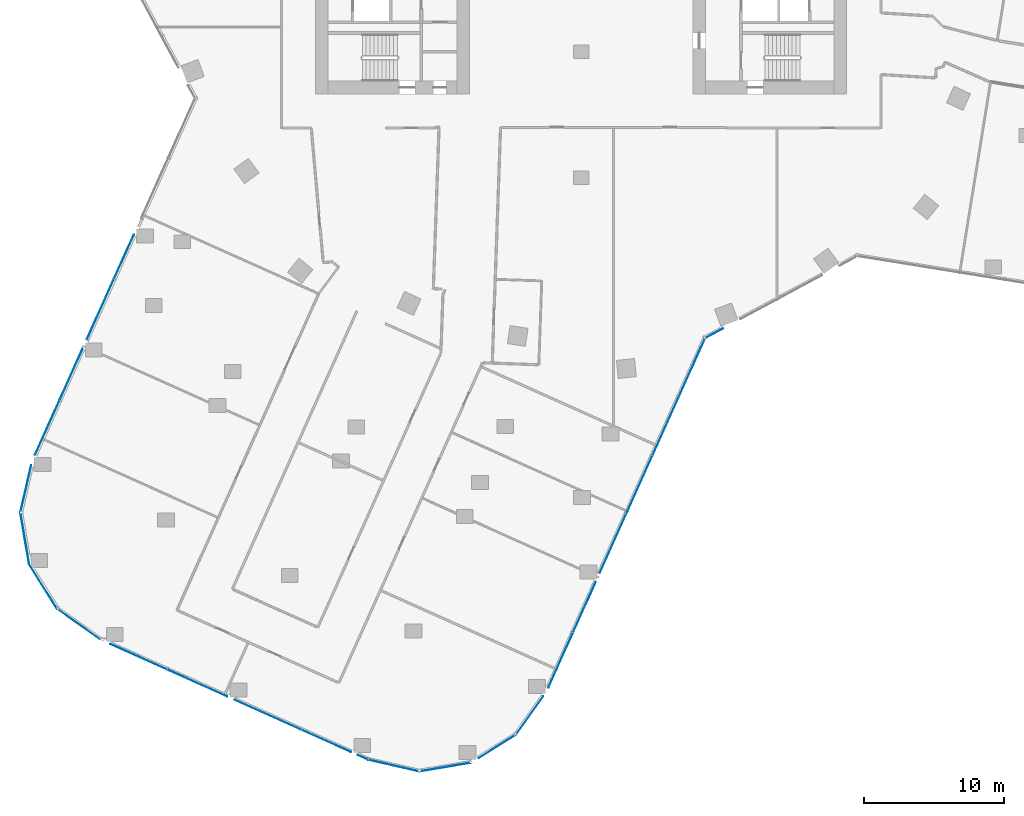
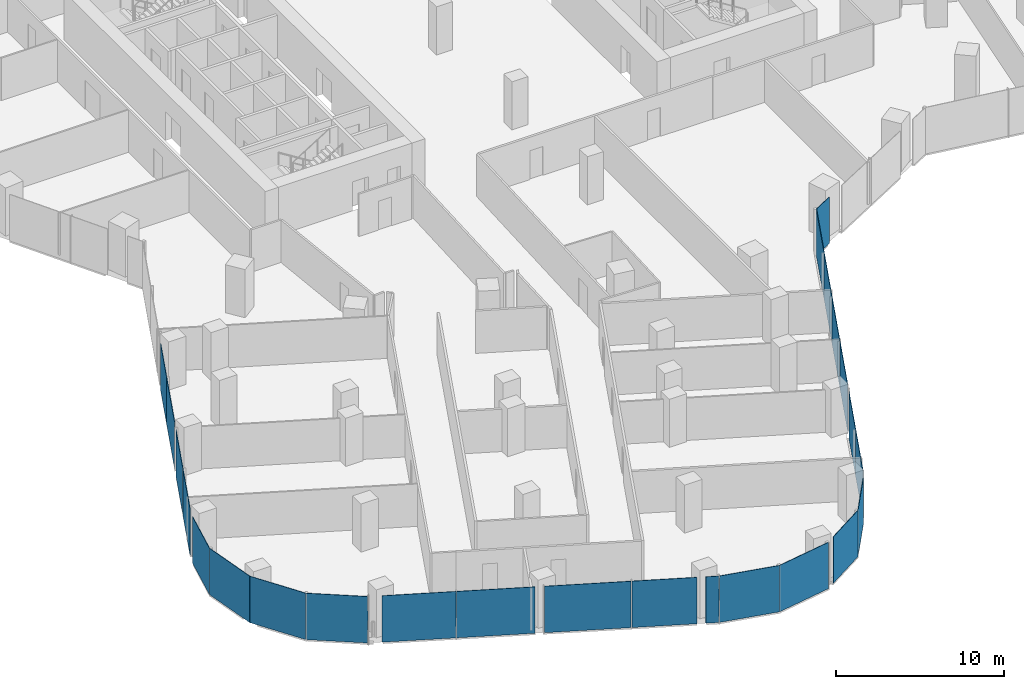
# One storey, part 18 of 34: 24 plates, 12 elements without a shape of their own.
"""IFC4 building model written with IfcOpenShell, lengths in metres."""

from ifc_helpers import new_model, si_unit, direction, frame, origin, origin_2d, place, context, subcontext, project, spatial, rectangle, extrude, material, layer, layer_set, type_object, element, aggregate, save


model = new_model("IFC4")

# Units and contexts
model_context = context("Model", 3, precision=1e-05, world=origin(), true_north=direction((0.0, 1.0)))
body_context = subcontext(model_context, "Body", "Model", "MODEL_VIEW")
ifc_project = project(units=[si_unit("LENGTHUNIT", "METRE"), si_unit("AREAUNIT", "SQUARE_METRE"), si_unit("VOLUMEUNIT", "CUBIC_METRE"), si_unit("PLANEANGLEUNIT", "RADIAN"), si_unit("MASSUNIT", "GRAM", prefix="KILO")], contexts=[model_context])

# Site, building, storey
site_placement = place(None, origin())
site = spatial("IfcSite", under=ifc_project, at=site_placement, CompositionType="ELEMENT")
building_placement = place(site_placement, origin())
building = spatial("IfcBuilding", under=site, at=building_placement, Name="Orlundy Tower", CompositionType="ELEMENT")
storey_placement = place(building_placement, frame((0.0, 0.0, 127.199951171875)))
storey = spatial("IfcBuildingStorey", under=building, at=storey_placement, Name="L32", CompositionType="ELEMENT", Elevation=127.199951171875)

# Curtain wall, plates
ifc_material_1 = material(Name="Aluminium bronze anodised", Category="aluminium")
curtain_wall_type = type_object("IfcCurtainWallType", Name="CW1 wall", PredefinedType="NOTDEFINED", material=ifc_material_1)
curtain_wall_1_placement = place(storey_placement, origin())
curtain_wall_1 = element("IfcCurtainWall", 1, at=curtain_wall_1_placement, inside=storey, type_object=curtain_wall_type, Name="CW1 run 00", PredefinedType="NOTDEFINED")
ifc_material_2 = material(Name="Tinted glass", Category="glass")
ifc_layer = layer(ifc_material_2, 0.031982421875)
ifc_layer_set = layer_set([ifc_layer], Name="CW1 glass panel 32")
plate_type = type_object("IfcPlateType", Name="CW1 glass panel 32", PredefinedType="CURTAIN_PANEL", material=ifc_layer_set)
plate_1_placement = place(storey_placement, frame((-38.206787109375, -35.89306640625, -0.27978515625), z_axis=(0.0, 0.0, 1.0), x_axis=(0.409404071174, 0.912353169834, 0.0)))
plate_1 = element("IfcPlate", 2, at=plate_1_placement, type_object=plate_type, Name="CW1 panel", PredefinedType="CURTAIN_PANEL", context=body_context, shape_type="SweptSolid", body=[
    extrude(rectangle(XDim=4.239501953125, YDim=0.031982421875, at=origin_2d()), origin(), (0.0, 0.0, 1.0), 3.3798828125),
])
plate_2_placement = place(storey_placement, frame((-36.499755859375, -32.0888671875, -0.27978515625), z_axis=(0.0, 0.0, 1.0), x_axis=(0.409404071174, 0.912353169834, 0.0)))
plate_2 = element("IfcPlate", 3, at=plate_2_placement, type_object=plate_type, Name="CW1 panel", PredefinedType="CURTAIN_PANEL", context=body_context, shape_type="SweptSolid", body=[
    extrude(rectangle(XDim=3.999755859375, YDim=0.031982421875, at=origin_2d()), origin(), (0.0, 0.0, 1.0), 3.3798828125),
])
plate_3_placement = place(storey_placement, frame((-34.408447265625, -27.4287109375, -0.27978515625), z_axis=(0.0, 0.0, 1.0), x_axis=(0.409404071174, 0.912353169834, 0.0)))
plate_3 = element("IfcPlate", 4, at=plate_3_placement, type_object=plate_type, Name="CW1 panel", PredefinedType="CURTAIN_PANEL", context=body_context, shape_type="SweptSolid", body=[
    extrude(rectangle(XDim=4.705322265625, YDim=0.031982421875, at=origin_2d()), origin(), (0.0, 0.0, 1.0), 3.3798828125),
])
plate_4_placement = place(storey_placement, frame((-32.717529296875, -23.659912109375, -0.27978515625), z_axis=(0.0, 0.0, 1.0), x_axis=(0.409404071174, 0.912353169834, 0.0)))
plate_4 = element("IfcPlate", 5, at=plate_4_placement, type_object=plate_type, Name="CW1 panel", PredefinedType="CURTAIN_PANEL", context=body_context, shape_type="SweptSolid", body=[
    extrude(rectangle(XDim=3.4560546875, YDim=0.031982421875, at=origin_2d()), origin(), (0.0, 0.0, 1.0), 3.3798828125),
])
aggregate(curtain_wall_1, [plate_1, plate_2, plate_3, plate_4])

# Curtain wall, plate
curtain_wall_2_placement = place(storey_placement, origin())
curtain_wall_2 = element("IfcCurtainWall", 6, at=curtain_wall_2_placement, inside=storey, type_object=curtain_wall_type, Name="CW1 run 017", PredefinedType="NOTDEFINED")
plate_5_placement = place(storey_placement, frame((9.50830078125, -29.142578125, -0.27978515625), z_axis=(0.0, 0.0, 1.0), x_axis=(-0.88019320423, -0.474615553081, 0.0)))
plate_5 = element("IfcPlate", 7, at=plate_5_placement, type_object=plate_type, Name="CW1 panel", PredefinedType="CURTAIN_PANEL", context=body_context, shape_type="SweptSolid", body=[
    extrude(rectangle(XDim=1.450927734375, YDim=0.031982421875, at=origin_2d()), origin(), (0.0, 0.0, 1.0), 3.3798828125),
])
aggregate(curtain_wall_2, [plate_5])

# Curtain wall, plates
curtain_wall_3_placement = place(storey_placement, origin())
curtain_wall_3 = element("IfcCurtainWall", 8, at=curtain_wall_3_placement, inside=storey, type_object=curtain_wall_type, Name="CW1 run 018", PredefinedType="NOTDEFINED")
plate_6_placement = place(storey_placement, frame((7.9384765625, -31.5625, -0.27978515625), z_axis=(0.0, 0.0, 1.0), x_axis=(-0.409405171428, -0.912352676112, 0.0)))
plate_6 = element("IfcPlate", 9, at=plate_6_placement, type_object=plate_type, Name="CW1 panel", PredefinedType="CURTAIN_PANEL", context=body_context, shape_type="SweptSolid", body=[
    extrude(rectangle(XDim=4.550048828125, YDim=0.031982421875, at=origin_2d()), origin(), (0.0, 0.0, 1.0), 3.3798828125),
])
plate_7_placement = place(storey_placement, frame((6.048828125, -35.7734375, -0.27978515625), z_axis=(0.0, 0.0, 1.0), x_axis=(-0.409405171428, -0.912352676112, 0.0)))
plate_7 = element("IfcPlate", 10, at=plate_7_placement, type_object=plate_type, Name="CW1 panel", PredefinedType="CURTAIN_PANEL", context=body_context, shape_type="SweptSolid", body=[
    extrude(rectangle(XDim=4.580810546875, YDim=0.031982421875, at=origin_2d()), origin(), (0.0, 0.0, 1.0), 3.3798828125),
])
plate_8_placement = place(storey_placement, frame((4.153076171875, -39.998291015625, -0.27978515625), z_axis=(0.0, 0.0, 1.0), x_axis=(-0.409405171428, -0.912352676112, 0.0)))
plate_8 = element("IfcPlate", 11, at=plate_8_placement, type_object=plate_type, Name="CW1 panel", PredefinedType="CURTAIN_PANEL", context=body_context, shape_type="SweptSolid", body=[
    extrude(rectangle(XDim=4.580810546875, YDim=0.031982421875, at=origin_2d()), origin(), (0.0, 0.0, 1.0), 3.3798828125),
])
plate_9_placement = place(storey_placement, frame((2.25732421875, -44.22314453125, -0.27978515625), z_axis=(0.0, 0.0, 1.0), x_axis=(-0.409405171428, -0.912352676112, 0.0)))
plate_9 = element("IfcPlate", 12, at=plate_9_placement, type_object=plate_type, Name="CW1 panel", PredefinedType="CURTAIN_PANEL", context=body_context, shape_type="SweptSolid", body=[
    extrude(rectangle(XDim=4.580810546875, YDim=0.031982421875, at=origin_2d()), origin(), (0.0, 0.0, 1.0), 3.3798828125),
])
plate_10_placement = place(storey_placement, frame((0.23291015625, -48.734130859375, -0.27978515625), z_axis=(0.0, 0.0, 1.0), x_axis=(-0.409405171428, -0.912352676112, 0.0)))
plate_10 = element("IfcPlate", 13, at=plate_10_placement, type_object=plate_type, Name="CW1 panel", PredefinedType="CURTAIN_PANEL", context=body_context, shape_type="SweptSolid", body=[
    extrude(rectangle(XDim=3.952880859375, YDim=0.031982421875, at=origin_2d()), origin(), (0.0, 0.0, 1.0), 3.3798828125),
])
plate_11_placement = place(storey_placement, frame((-1.474365234375, -52.538818359375, -0.27978515625), z_axis=(0.0, 0.0, 1.0), x_axis=(-0.409405171428, -0.912352676112, 0.0)))
plate_11 = element("IfcPlate", 14, at=plate_11_placement, type_object=plate_type, Name="CW1 panel", PredefinedType="CURTAIN_PANEL", context=body_context, shape_type="SweptSolid", body=[
    extrude(rectangle(XDim=4.287353515625, YDim=0.031982421875, at=origin_2d()), origin(), (0.0, 0.0, 1.0), 3.3798828125),
])
aggregate(curtain_wall_3, [plate_6, plate_7, plate_8, plate_9, plate_10, plate_11])

# Curtain wall, plate
curtain_wall_4_placement = place(storey_placement, origin())
curtain_wall_4 = element("IfcCurtainWall", 15, at=curtain_wall_4_placement, inside=storey, type_object=curtain_wall_type, Name="CW1 run 019", PredefinedType="NOTDEFINED")
plate_12_placement = place(storey_placement, frame((-3.68798828125, -56.486328125, -0.27978515625), z_axis=(0.0, 0.0, 1.0), x_axis=(-0.579476006313, -0.814989299383, 0.0)))
plate_12 = element("IfcPlate", 16, at=plate_12_placement, type_object=plate_type, Name="CW1 panel", PredefinedType="CURTAIN_PANEL", context=body_context, shape_type="SweptSolid", body=[
    extrude(rectangle(XDim=3.37255859375, YDim=0.031982421875, at=origin_2d()), origin(), (0.0, 0.0, 1.0), 3.3798828125),
])
aggregate(curtain_wall_4, [plate_12])

curtain_wall_5_placement = place(storey_placement, origin())
curtain_wall_5 = element("IfcCurtainWall", 17, at=curtain_wall_5_placement, inside=storey, type_object=curtain_wall_type, Name="CW1 run 020", PredefinedType="NOTDEFINED")
plate_13_placement = place(storey_placement, frame((-5.99951171875, -58.697021484375, -0.27978515625), z_axis=(0.0, 0.0, 1.0), x_axis=(-0.847285276564, -0.531138080086, 0.0)))
plate_13 = element("IfcPlate", 18, at=plate_13_placement, type_object=plate_type, Name="CW1 panel", PredefinedType="CURTAIN_PANEL", context=body_context, shape_type="SweptSolid", body=[
    extrude(rectangle(XDim=3.149658203125, YDim=0.031982421875, at=origin_2d()), origin(), (0.0, 0.0, 1.0), 3.3798828125),
])
aggregate(curtain_wall_5, [plate_13])

curtain_wall_6_placement = place(storey_placement, origin())
curtain_wall_6 = element("IfcCurtainWall", 19, at=curtain_wall_6_placement, inside=storey, type_object=curtain_wall_type, Name="CW1 run 021", PredefinedType="NOTDEFINED")
plate_14_placement = place(storey_placement, frame((-9.72119140625, -60.17822265625, -0.27978515625), z_axis=(0.0, 0.0, 1.0), x_axis=(-0.986049086137, -0.166454797856, 0.0)))
plate_14 = element("IfcPlate", 20, at=plate_14_placement, type_object=plate_type, Name="CW1 panel", PredefinedType="CURTAIN_PANEL", context=body_context, shape_type="SweptSolid", body=[
    extrude(rectangle(XDim=3.77197265625, YDim=0.031982421875, at=origin_2d()), origin(), (0.0, 0.0, 1.0), 3.3798828125),
])
aggregate(curtain_wall_6, [plate_14])

curtain_wall_7_placement = place(storey_placement, origin())
curtain_wall_7 = element("IfcCurtainWall", 21, at=curtain_wall_7_placement, inside=storey, type_object=curtain_wall_type, Name="CW1 run 022", PredefinedType="NOTDEFINED")
plate_15_placement = place(storey_placement, frame((-13.3984375, -60.074951171875, -0.27978515625), z_axis=(0.0, 0.0, 1.0), x_axis=(-0.974658825104, 0.223696612955, 0.0)))
plate_15 = element("IfcPlate", 22, at=plate_15_placement, type_object=plate_type, Name="CW1 panel", PredefinedType="CURTAIN_PANEL", context=body_context, shape_type="SweptSolid", body=[
    extrude(rectangle(XDim=3.7294921875, YDim=0.031982421875, at=origin_2d()), origin(), (0.0, 0.0, 1.0), 3.3798828125),
])
aggregate(curtain_wall_7, [plate_15])

# Curtain wall, plates
curtain_wall_8_placement = place(storey_placement, origin())
curtain_wall_8 = element("IfcCurtainWall", 23, at=curtain_wall_8_placement, inside=storey, type_object=curtain_wall_type, Name="CW1 run 023", PredefinedType="NOTDEFINED")
plate_16_placement = place(storey_placement, frame((-15.62109375, -59.4814453125, -0.27978515625), z_axis=(0.0, 0.0, 1.0), x_axis=(-0.912366461182, 0.409374450241, 0.0)))
plate_16 = element("IfcPlate", 24, at=plate_16_placement, type_object=plate_type, Name="CW1 panel", PredefinedType="CURTAIN_PANEL", context=body_context, shape_type="SweptSolid", body=[
    extrude(rectangle(XDim=0.783935546875, YDim=0.031982421875, at=origin_2d()), origin(), (0.0, 0.0, 1.0), 3.3798828125),
])
plate_17_placement = place(storey_placement, frame((-18.24755859375, -58.302978515625, -0.27978515625), z_axis=(0.0, 0.0, 1.0), x_axis=(-0.912366461182, 0.409374450241, 0.0)))
plate_17 = element("IfcPlate", 25, at=plate_17_placement, type_object=plate_type, Name="CW1 panel", PredefinedType="CURTAIN_PANEL", context=body_context, shape_type="SweptSolid", body=[
    extrude(rectangle(XDim=3.89013671875, YDim=0.031982421875, at=origin_2d()), origin(), (0.0, 0.0, 1.0), 3.3798828125),
])
plate_18_placement = place(storey_placement, frame((-22.440185546875, -56.421875, -0.27978515625), z_axis=(0.0, 0.0, 1.0), x_axis=(-0.912366461182, 0.409374450241, 0.0)))
plate_18 = element("IfcPlate", 26, at=plate_18_placement, type_object=plate_type, Name="CW1 panel", PredefinedType="CURTAIN_PANEL", context=body_context, shape_type="SweptSolid", body=[
    extrude(rectangle(XDim=5.2001953125, YDim=0.031982421875, at=origin_2d()), origin(), (0.0, 0.0, 1.0), 3.3798828125),
])
plate_19_placement = place(storey_placement, frame((-27.462646484375, -54.168212890625, -0.27978515625), z_axis=(0.0, 0.0, 1.0), x_axis=(-0.912366461182, 0.409374450241, 0.0)))
plate_19 = element("IfcPlate", 27, at=plate_19_placement, type_object=plate_type, Name="CW1 panel", PredefinedType="CURTAIN_PANEL", context=body_context, shape_type="SweptSolid", body=[
    extrude(rectangle(XDim=4.6904296875, YDim=0.031982421875, at=origin_2d()), origin(), (0.0, 0.0, 1.0), 3.3798828125),
])
plate_20_placement = place(storey_placement, frame((-31.663330078125, -52.283203125, -0.27978515625), z_axis=(0.0, 0.0, 1.0), x_axis=(-0.912366461182, 0.409374450241, 0.0)))
plate_20 = element("IfcPlate", 28, at=plate_20_placement, type_object=plate_type, Name="CW1 panel", PredefinedType="CURTAIN_PANEL", context=body_context, shape_type="SweptSolid", body=[
    extrude(rectangle(XDim=4.41796875, YDim=0.031982421875, at=origin_2d()), origin(), (0.0, 0.0, 1.0), 3.3798828125),
])
aggregate(curtain_wall_8, [plate_16, plate_17, plate_18, plate_19, plate_20])

# Curtain wall, plate
curtain_wall_9_placement = place(storey_placement, origin())
curtain_wall_9 = element("IfcCurtainWall", 29, at=curtain_wall_9_placement, inside=storey, type_object=curtain_wall_type, Name="CW1 run 024", PredefinedType="NOTDEFINED")
plate_21_placement = place(storey_placement, frame((-35.970458984375, -49.946533203125, -0.27978515625), z_axis=(0.0, 0.0, 1.0), x_axis=(-0.814989299383, 0.579476006313, 0.0)))
plate_21 = element("IfcPlate", 30, at=plate_21_placement, type_object=plate_type, Name="CW1 panel", PredefinedType="CURTAIN_PANEL", context=body_context, shape_type="SweptSolid", body=[
    extrude(rectangle(XDim=3.73046875, YDim=0.031982421875, at=origin_2d()), origin(), (0.0, 0.0, 1.0), 3.3798828125),
])
aggregate(curtain_wall_9, [plate_21])

curtain_wall_10_placement = place(storey_placement, origin())
curtain_wall_10 = element("IfcCurtainWall", 31, at=curtain_wall_10_placement, inside=storey, type_object=curtain_wall_type, Name="CW1 run 025", PredefinedType="NOTDEFINED")
plate_22_placement = place(storey_placement, frame((-38.492431640625, -47.267578125, -0.27978515625), z_axis=(0.0, 0.0, 1.0), x_axis=(-0.531138080086, 0.847285276564, 0.0)))
plate_22 = element("IfcPlate", 32, at=plate_22_placement, type_object=plate_type, Name="CW1 panel", PredefinedType="CURTAIN_PANEL", context=body_context, shape_type="SweptSolid", body=[
    extrude(rectangle(XDim=3.7724609375, YDim=0.031982421875, at=origin_2d()), origin(), (0.0, 0.0, 1.0), 3.3798828125),
])
aggregate(curtain_wall_10, [plate_22])

curtain_wall_11_placement = place(storey_placement, origin())
curtain_wall_11 = element("IfcCurtainWall", 33, at=curtain_wall_11_placement, inside=storey, type_object=curtain_wall_type, Name="CW1 run 026", PredefinedType="NOTDEFINED")
plate_23_placement = place(storey_placement, frame((-39.80810546875, -43.809814453125, -0.27978515625), z_axis=(0.0, 0.0, 1.0), x_axis=(-0.166454797856, 0.986049086137, 0.0)))
plate_23 = element("IfcPlate", 34, at=plate_23_placement, type_object=plate_type, Name="CW1 panel", PredefinedType="CURTAIN_PANEL", context=body_context, shape_type="SweptSolid", body=[
    extrude(rectangle(XDim=3.77197265625, YDim=0.031982421875, at=origin_2d()), origin(), (0.0, 0.0, 1.0), 3.3798828125),
])
aggregate(curtain_wall_11, [plate_23])

curtain_wall_12_placement = place(storey_placement, origin())
curtain_wall_12 = element("IfcCurtainWall", 35, at=curtain_wall_12_placement, inside=storey, type_object=curtain_wall_type, Name="CW1 run 027", PredefinedType="NOTDEFINED")
plate_24_placement = place(storey_placement, frame((-39.736572265625, -40.269775390625, -0.27978515625), z_axis=(0.0, 0.0, 1.0), x_axis=(0.223637795584, 0.974672322571, 0.0)))
plate_24 = element("IfcPlate", 36, at=plate_24_placement, type_object=plate_type, Name="CW1 panel", PredefinedType="CURTAIN_PANEL", context=body_context, shape_type="SweptSolid", body=[
    extrude(rectangle(XDim=3.4482421875, YDim=0.031982421875, at=origin_2d()), origin(), (0.0, 0.0, 1.0), 3.3798828125),
])
aggregate(curtain_wall_12, [plate_24])

save(model, "model.ifc")
